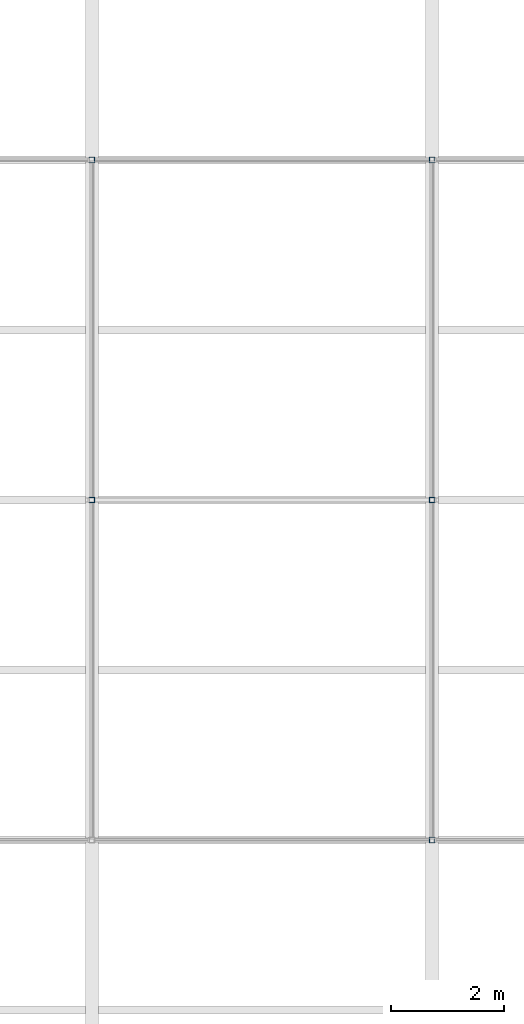
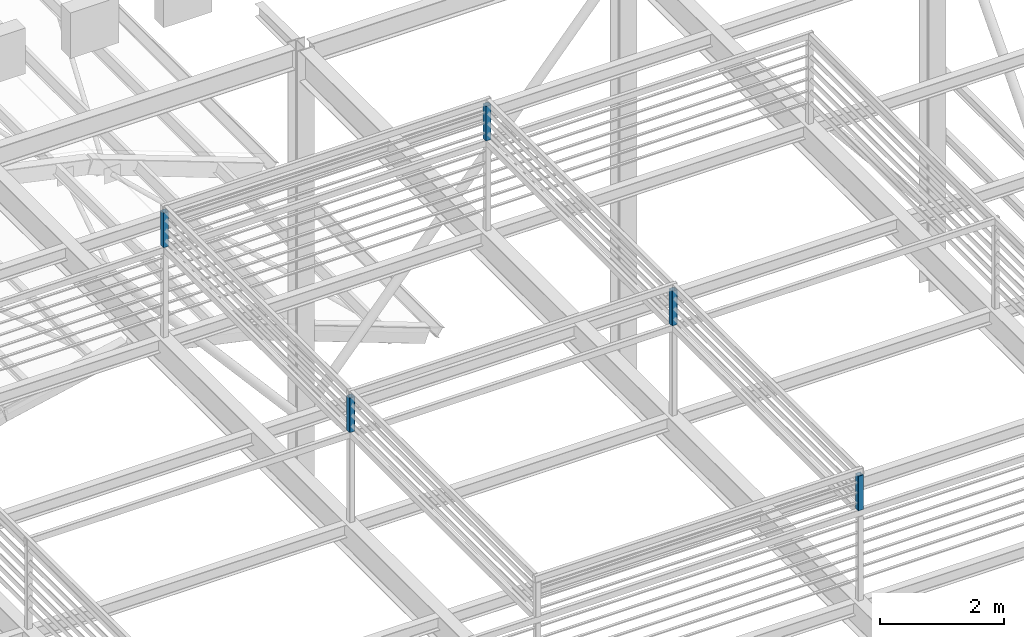
# One storey, part 35 of 57: 5 members.
"""IFC4 building model written with IfcOpenShell, lengths in metres."""

from ifc_helpers import new_model, si_unit, direction, frame, origin, origin_2d, place, context, subcontext, project, spatial, hollow_rectangle, extrude, material, material_profile, profile_set, type_object, element, save


model = new_model("IFC4")

# Units and contexts
model_context = context("Model", 3, precision=1e-05, world=origin(), true_north=direction((0.0, 1.0)))
body_context = subcontext(model_context, "Body", "Model", "MODEL_VIEW")
ifc_project = project(units=[si_unit("LENGTHUNIT", "METRE"), si_unit("AREAUNIT", "SQUARE_METRE"), si_unit("VOLUMEUNIT", "CUBIC_METRE"), si_unit("PLANEANGLEUNIT", "RADIAN"), si_unit("MASSUNIT", "GRAM", prefix="KILO")], contexts=[model_context])

# Site, building, storey
site_placement = place(None, origin())
site = spatial("IfcSite", under=ifc_project, at=site_placement, CompositionType="ELEMENT")
building_placement = place(site_placement, origin())
building = spatial("IfcBuilding", under=site, at=building_placement, Name="Saffron Lane Theatres", CompositionType="ELEMENT")
storey_placement = place(building_placement, frame((0.0, 0.0, 28.0)))
storey = spatial("IfcBuildingStorey", under=building, at=storey_placement, Name="Upper Roof", CompositionType="ELEMENT", Elevation=28.0)

# Members
ifc_material = material(Name="Steel Grade 350", Category="steel")
ifc_material_profile = material_profile(ifc_material, hollow_rectangle(XDim=0.10009765625, YDim=0.10009765625, WallThickness=0.006103515625, InnerFilletRadius=0.0029296875, OuterFilletRadius=0.009033203125, at=origin_2d()))
ifc_profile_set = profile_set([ifc_material_profile], Name="Steel Grade 350")
member_type = type_object("IfcMemberType", Name="ST-LANTERN POST 100x100x6 SHS", PredefinedType="POST", material=ifc_profile_set)
for number, where, z_axis, x_axis, name in (
    (1, (30.0, 42.25, 10.625), (0.0, 0.0, 1.0), (1.0, 0.0, 0.0), "LP14"),
    (2, (30.0, 48.25, 10.625), (0.0, 0.0, 1.0), (1.0, 0.0, 0.0), "LP15"),
    (3, (36.0, 36.25, 10.625), (0.0, 0.0, 1.0), (1.0, 0.0, 0.0), "LP16"),
    (4, (36.0, 42.25, 10.625), (0.0, 0.0, 1.0), (1.0, 0.0, 0.0), "LP17"),
    (5, (36.0, 48.25, 10.625), (0.0, 0.0, 1.0), (1.0, 0.0, 0.0), "LP18"),
):
    element("IfcMember", number, at=place(storey_placement, frame(where, z_axis=z_axis, x_axis=x_axis)), inside=storey, type_object=member_type, Name=name, PredefinedType="POST", context=body_context, shape_type="SweptSolid", body=[
        extrude(hollow_rectangle(XDim=0.10009765625, YDim=0.10009765625, WallThickness=0.006103515625, InnerFilletRadius=0.0029296875, OuterFilletRadius=0.009033203125, at=origin_2d()), origin(), (0.0, 0.0, 1.0), 0.679931640625),
    ])

save(model, "model.ifc")
